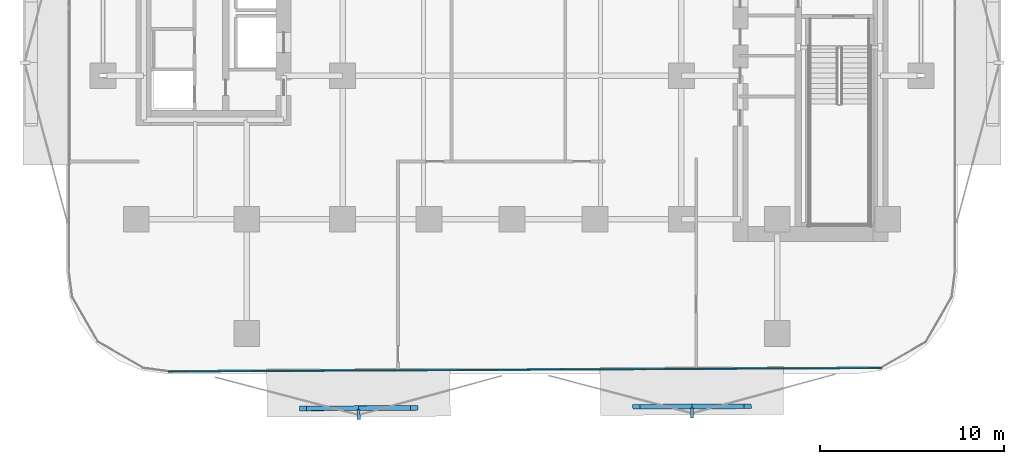
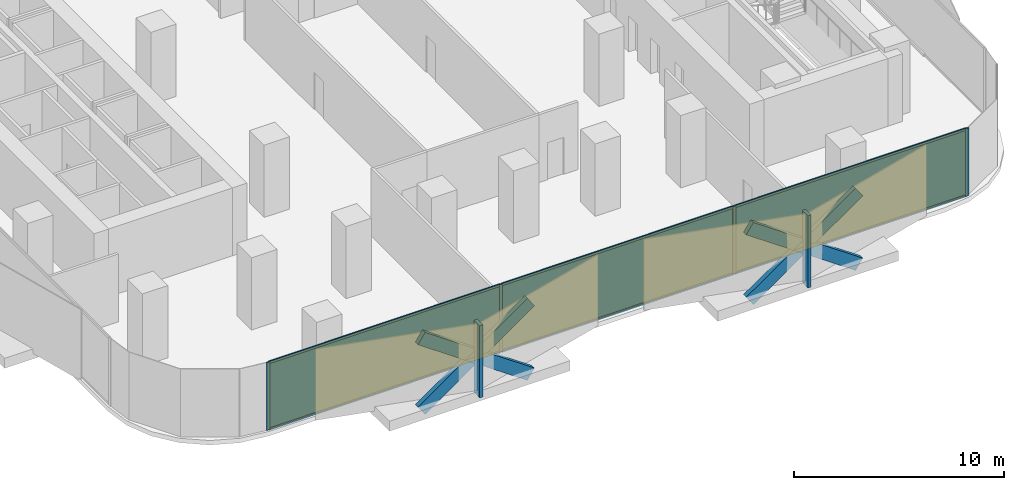
# One storey, part 8 of 16: 16 members, 3 plates, 1 curtain wall.
"""IFC4 building model written with IfcOpenShell, lengths in metres."""

from ifc_helpers import new_model, si_unit, direction, frame, frame_2d, origin, origin_2d, place, context, subcontext, project, spatial, rectangle, extrude, material, layer, layer_set, material_profile, profile_set, type_object, element, aggregate, save


model = new_model("IFC4")

# Units and contexts
model_context = context("Model", 3, precision=1e-05, world=origin(), true_north=direction((0.0, 1.0)))
body_context = subcontext(model_context, "Body", "Model", "MODEL_VIEW")
ifc_project = project(units=[si_unit("LENGTHUNIT", "METRE"), si_unit("AREAUNIT", "SQUARE_METRE"), si_unit("VOLUMEUNIT", "CUBIC_METRE"), si_unit("PLANEANGLEUNIT", "RADIAN"), si_unit("MASSUNIT", "GRAM", prefix="KILO")], contexts=[model_context])

# Member
ifc_material_1 = material(Name="Anodised Bronze Aluminium 6063-T6", Category="aluminium")
ifc_material_profile_1 = material_profile(ifc_material_1, rectangle(XDim=0.260009765625, YDim=0.699951171875, at=origin_2d()))
ifc_profile_set_1 = profile_set([ifc_material_profile_1], Name="Anodised Bronze Aluminium 6063-T6")
member_type_1 = type_object("IfcMemberType", Name="Bronze Diamond Solar-Screen Lattice Rib BDL-700", PredefinedType="MULLION", material=ifc_profile_set_1)
site_placement = place(None, origin())
building_placement = place(site_placement, origin())
storey_placement = place(building_placement, frame((0.0, 0.0, 42.800048828125)))
member_1_placement = place(storey_placement, frame((12.788818359375, -28.747802734375, -0.130126953125), z_axis=(-0.820728082462, -0.003984922917, 0.571305115544), x_axis=(-0.007647115257, 0.999962716599, -0.004010865356)))
member_1 = element("IfcMember", 1, at=member_1_placement, type_object=member_type_1, Name="L10 Bronze Diamond Solar Screen Lattice Rib 33A", PredefinedType="MULLION", context=body_context, shape_type="SweptSolid", body=[
    extrude(rectangle(XDim=0.260009765625, YDim=0.699951171875, at=origin_2d()), origin(), (0.0, 0.0, 1.0), 7.35205078125),
])

member_2_placement = place(storey_placement, frame((6.7548828125, -28.777099609375, -0.130126953125), z_axis=(0.820728082462, 0.003984922917, 0.571305115544), x_axis=(0.007647115257, -0.999962716599, -0.004010865356)))
member_2 = element("IfcMember", 2, at=member_2_placement, type_object=member_type_1, Name="L10 Bronze Diamond Solar Screen Lattice Rib 33B", PredefinedType="MULLION", context=body_context, shape_type="SweptSolid", body=[
    extrude(rectangle(XDim=0.260009765625, YDim=0.699951171875, at=origin_2d()), origin(), (0.0, 0.0, 1.0), 7.35205078125),
])

member_3_placement = place(storey_placement, frame((-5.31298828125, -28.835693359375, -0.130126953125), z_axis=(-0.820728082462, -0.003984922917, 0.571305115544), x_axis=(-0.007647115257, 0.999962716599, -0.004010865356)))
member_3 = element("IfcMember", 3, at=member_3_placement, type_object=member_type_1, Name="L10 Bronze Diamond Solar Screen Lattice Rib 34A", PredefinedType="MULLION", context=body_context, shape_type="SweptSolid", body=[
    extrude(rectangle(XDim=0.260009765625, YDim=0.699951171875, at=origin_2d()), origin(), (0.0, 0.0, 1.0), 7.35205078125),
])

member_4_placement = place(storey_placement, frame((-11.346923828125, -28.864990234375, -0.130126953125), z_axis=(0.820728082462, 0.003984922917, 0.571305115544), x_axis=(0.007647115257, -0.999962716599, -0.004010865356)))
member_4 = element("IfcMember", 4, at=member_4_placement, type_object=member_type_1, Name="L10 Bronze Diamond Solar Screen Lattice Rib 34B", PredefinedType="MULLION", context=body_context, shape_type="SweptSolid", body=[
    extrude(rectangle(XDim=0.260009765625, YDim=0.699951171875, at=origin_2d()), origin(), (0.0, 0.0, 1.0), 7.35205078125),
])

ifc_material_2 = material(Name="Anodised Bronze Aluminium 6063-T6", Category="aluminium")
ifc_material_profile_2 = material_profile(ifc_material_2, rectangle(XDim=0.179931640625, YDim=0.5400390625, at=origin_2d()))
ifc_profile_set_2 = profile_set([ifc_material_profile_2], Name="Anodised Bronze Aluminium 6063-T6")
member_type_2 = type_object("IfcMemberType", Name="Bronze Solar-Screen Vertical Fold Fin BSF-540", PredefinedType="MULLION", material=ifc_profile_set_2)
member_5_placement = place(storey_placement, frame((9.7734375, -29.1025390625, -0.130126953125), z_axis=(0.0, 0.0, 1.0), x_axis=(-0.999988059021, -0.004886902454, 0.0)))
member_5 = element("IfcMember", 5, at=member_5_placement, type_object=member_type_2, Name="L10 Bronze Solar Screen Vertical Fin 33", PredefinedType="MULLION", context=body_context, shape_type="SweptSolid", body=[
    extrude(rectangle(XDim=0.179931640625, YDim=0.5400390625, at=origin_2d()), origin(), (0.0, 0.0, 1.0), 4.2001953125),
])

member_6_placement = place(storey_placement, frame((-8.328369140625, -29.190185546875, -0.130126953125), z_axis=(0.0, 0.0, 1.0), x_axis=(-0.999988059021, -0.004886902454, 0.0)))
member_6 = element("IfcMember", 6, at=member_6_placement, type_object=member_type_2, Name="L10 Bronze Solar Screen Vertical Fin 34", PredefinedType="MULLION", context=body_context, shape_type="SweptSolid", body=[
    extrude(rectangle(XDim=0.179931640625, YDim=0.5400390625, at=origin_2d()), origin(), (0.0, 0.0, 1.0), 4.2001953125),
])

ifc_material_3 = material(Name="Anodised Bronze Aluminium 6063-T6", Category="aluminium")
ifc_material_profile_3 = material_profile(ifc_material_3, rectangle(XDim=0.06494140625, YDim=0.179931640625, at=origin_2d()))
ifc_profile_set_3 = profile_set([ifc_material_profile_3], Name="Anodised Bronze Aluminium 6063-T6")
member_type_3 = type_object("IfcMemberType", Name="CW-Z1 Mullion 65x180", PredefinedType="MULLION", material=ifc_profile_set_3)
member_7_placement = place(storey_placement, frame((19.98046875, -26.6728515625, 0.0), z_axis=(0.0, 0.0, 1.0), x_axis=(0.004849219095, -0.999988242468, 0.0)))
member_7 = element("IfcMember", 7, at=member_7_placement, type_object=member_type_3, Name="CW-Z1 mullion 1", PredefinedType="MULLION", context=body_context, shape_type="SweptSolid", body=[
    extrude(rectangle(XDim=0.06494140625, YDim=0.179931640625, at=origin_2d()), origin(), (0.0, 0.0, 1.0), 3.93994140625),
])

member_8_placement = place(storey_placement, frame((7.14501953125, -26.735107421875, 0.0), z_axis=(0.0, 0.0, 1.0), x_axis=(0.004849219095, -0.999988242468, 0.0)))
member_8 = element("IfcMember", 8, at=member_8_placement, type_object=member_type_3, Name="CW-Z1 mullion 2", PredefinedType="MULLION", context=body_context, shape_type="SweptSolid", body=[
    extrude(rectangle(XDim=0.06494140625, YDim=0.179931640625, at=origin_2d()), origin(), (0.0, 0.0, 1.0), 3.93994140625),
])

member_9_placement = place(storey_placement, frame((-5.722900390625, -26.797607421875, 0.0), z_axis=(0.0, 0.0, 1.0), x_axis=(0.004849219095, -0.999988242468, 0.0)))
member_9 = element("IfcMember", 9, at=member_9_placement, type_object=member_type_3, Name="CW-Z1 mullion 3", PredefinedType="MULLION", context=body_context, shape_type="SweptSolid", body=[
    extrude(rectangle(XDim=0.06494140625, YDim=0.179931640625, at=origin_2d()), origin(), (0.0, 0.0, 1.0), 3.93994140625),
])

member_10_placement = place(storey_placement, frame((-18.558349609375, -26.85986328125, 0.0), z_axis=(0.0, 0.0, 1.0), x_axis=(0.004849219095, -0.999988242468, 0.0)))
member_10 = element("IfcMember", 10, at=member_10_placement, type_object=member_type_3, Name="CW-Z1 mullion 4", PredefinedType="MULLION", context=body_context, shape_type="SweptSolid", body=[
    extrude(rectangle(XDim=0.06494140625, YDim=0.179931640625, at=origin_2d()), origin(), (0.0, 0.0, 1.0), 3.93994140625),
])

ifc_material_4 = material(Name="Anodised Bronze Aluminium 6063-T6", Category="aluminium")
ifc_material_profile_4 = material_profile(ifc_material_4, rectangle(XDim=0.06494140625, YDim=0.139892578125, at=origin_2d()))
ifc_profile_set_4 = profile_set([ifc_material_profile_4], Name="Anodised Bronze Aluminium 6063-T6")
member_type_4 = type_object("IfcMemberType", Name="CW-Z1 Transom 65x140", PredefinedType="USERDEFINED", material=ifc_profile_set_4)
member_11_placement = place(storey_placement, frame((19.947998046875, -26.673095703125, 0.032470703125), z_axis=(-0.99998821055, -0.004855796541, 0.0), x_axis=(0.004855796541, -0.99998821055, 0.0)))
member_11 = element("IfcMember", 11, at=member_11_placement, type_object=member_type_4, Name="CW-Z1 transom 1.1", ObjectType="TRANSOM", PredefinedType="USERDEFINED", context=body_context, shape_type="SweptSolid", body=[
    extrude(rectangle(XDim=0.06494140625, YDim=0.139892578125, at=origin_2d()), origin(), (0.0, 0.0, 1.0), 12.770751953125),
])

member_12_placement = place(storey_placement, frame((19.947998046875, -26.673095703125, 3.907470703125), z_axis=(-0.99998821055, -0.004855796541, 0.0), x_axis=(0.004855796541, -0.99998821055, 0.0)))
member_12 = element("IfcMember", 12, at=member_12_placement, type_object=member_type_4, Name="CW-Z1 transom 1.2", ObjectType="TRANSOM", PredefinedType="USERDEFINED", context=body_context, shape_type="SweptSolid", body=[
    extrude(rectangle(XDim=0.06494140625, YDim=0.139892578125, at=origin_2d()), origin(), (0.0, 0.0, 1.0), 12.770751953125),
])

member_13_placement = place(storey_placement, frame((7.112548828125, -26.7353515625, 0.032470703125), z_axis=(-0.999988270274, -0.004843481639, 0.0), x_axis=(0.004843481639, -0.999988270274, 0.0)))
member_13 = element("IfcMember", 13, at=member_13_placement, type_object=member_type_4, Name="CW-Z1 transom 2.1", ObjectType="TRANSOM", PredefinedType="USERDEFINED", context=body_context, shape_type="SweptSolid", body=[
    extrude(rectangle(XDim=0.06494140625, YDim=0.139892578125, at=origin_2d()), origin(), (0.0, 0.0, 1.0), 12.80322265625),
])

member_14_placement = place(storey_placement, frame((7.112548828125, -26.7353515625, 3.907470703125), z_axis=(-0.999988270274, -0.004843481639, 0.0), x_axis=(0.004843481639, -0.999988270274, 0.0)))
member_14 = element("IfcMember", 14, at=member_14_placement, type_object=member_type_4, Name="CW-Z1 transom 2.2", ObjectType="TRANSOM", PredefinedType="USERDEFINED", context=body_context, shape_type="SweptSolid", body=[
    extrude(rectangle(XDim=0.06494140625, YDim=0.139892578125, at=origin_2d()), origin(), (0.0, 0.0, 1.0), 12.80322265625),
])

member_15_placement = place(storey_placement, frame((-5.75537109375, -26.7978515625, 0.032470703125), z_axis=(-0.999988303196, -0.00483667968, 0.0), x_axis=(0.00483667968, -0.999988303196, 0.0)))
member_15 = element("IfcMember", 15, at=member_15_placement, type_object=member_type_4, Name="CW-Z1 transom 3.1", ObjectType="TRANSOM", PredefinedType="USERDEFINED", context=body_context, shape_type="SweptSolid", body=[
    extrude(rectangle(XDim=0.06494140625, YDim=0.139892578125, at=origin_2d()), origin(), (0.0, 0.0, 1.0), 12.770751953125),
])

member_16_placement = place(storey_placement, frame((-5.75537109375, -26.7978515625, 3.907470703125), z_axis=(-0.999988303196, -0.00483667968, 0.0), x_axis=(0.00483667968, -0.999988303196, 0.0)))
member_16 = element("IfcMember", 16, at=member_16_placement, type_object=member_type_4, Name="CW-Z1 transom 3.2", ObjectType="TRANSOM", PredefinedType="USERDEFINED", context=body_context, shape_type="SweptSolid", body=[
    extrude(rectangle(XDim=0.06494140625, YDim=0.139892578125, at=origin_2d()), origin(), (0.0, 0.0, 1.0), 12.770751953125),
])

# Plate
ifc_material_5 = material(Name="Low-E Solar Control Laminated Glass", Category="glass")
ifc_layer_1 = layer(ifc_material_5, 0.028076171875, Name="Low-E Solar Control Laminated Glass")
ifc_layer_set_1 = layer_set([ifc_layer_1], Name="Low-E Solar Control Laminated Glass")
plate_type = type_object("IfcPlateType", Name="CW-Z1 Low-E Double Glazed Panel 28mm", PredefinedType="CURTAIN_PANEL", material=ifc_layer_set_1)
plate_1_placement = place(storey_placement, frame((13.562744140625, -26.7041015625, 0.06494140625), z_axis=(0.0, 0.0, 1.0), x_axis=(-0.999988242468, -0.004849219095, 0.0)))
plate_1 = element("IfcPlate", 17, at=plate_1_placement, type_object=plate_type, Name="CW-Z1 panel 1.1", PredefinedType="CURTAIN_PANEL", context=body_context, shape_type="SweptSolid", body=[
    extrude(rectangle(XDim=12.7705078125, YDim=0.028076171875, at=origin_2d()), origin(), (0.0, 0.0, 1.0), 3.81005859375),
])

plate_2_placement = place(storey_placement, frame((0.7109375, -26.766357421875, 0.06494140625), z_axis=(0.0, 0.0, 1.0), x_axis=(-0.999988242468, -0.004849219095, 0.0)))
plate_2 = element("IfcPlate", 18, at=plate_2_placement, type_object=plate_type, Name="CW-Z1 panel 2.1", PredefinedType="CURTAIN_PANEL", context=body_context, shape_type="SweptSolid", body=[
    extrude(rectangle(XDim=12.802978515625, YDim=0.028076171875, at=origin_2d()), origin(), (0.0, 0.0, 1.0), 3.81005859375),
])

plate_3_placement = place(storey_placement, frame((-12.140625, -26.82861328125, 0.06494140625), z_axis=(0.0, 0.0, 1.0), x_axis=(-0.999988242468, -0.004849219095, 0.0)))
plate_3 = element("IfcPlate", 19, at=plate_3_placement, type_object=plate_type, Name="CW-Z1 panel 3.1", PredefinedType="CURTAIN_PANEL", context=body_context, shape_type="SweptSolid", body=[
    extrude(rectangle(XDim=12.7705078125, YDim=0.028076171875, at=origin_2d()), origin(), (0.0, 0.0, 1.0), 3.81005859375),
])

# Site, building, storey
site = spatial("IfcSite", under=ifc_project, at=site_placement, CompositionType="ELEMENT")
building = spatial("IfcBuilding", under=site, at=building_placement, Name="Khairoan Windgate Tower", CompositionType="ELEMENT")
storey = spatial("IfcBuildingStorey", under=building, at=storey_placement, Name="L10", CompositionType="ELEMENT", Elevation=42.800048828125)

# Curtain wall
ifc_material_6 = material(Name="Anodised Bronze Aluminium 6063-T6", Category="aluminium")
ifc_layer_2 = layer(ifc_material_6, 0.179931640625, Name="Anodised Bronze Aluminium 6063-T6")
ifc_layer_set_2 = layer_set([ifc_layer_2], Name="Anodised Bronze Aluminium 6063-T6")
curtain_wall_type = type_object("IfcCurtainWallType", Name="Low-Rise Office Unitised Curtain Wall CW-Z1", PredefinedType="NOTDEFINED", material=ifc_layer_set_2)
curtain_wall_placement = place(storey_placement, frame((20.012939453125, -26.6728515625, 0.0), z_axis=(0.0, 0.0, 1.0), x_axis=(-0.999988235487, -0.004850658525, 0.0)))
curtain_wall = element("IfcCurtainWall", 20, at=curtain_wall_placement, inside=storey, type_object=curtain_wall_type, Name="L10 Unitised Curtain Wall 1", PredefinedType="NOTDEFINED", context=body_context, shape_type="SweptSolid", body=[
    extrude(rectangle(XDim=38.604248046875, YDim=0.010009765625, at=frame_2d((19.30224609375, 0.0))), origin(), (0.0, 0.0, 1.0), 3.93994140625),
])

aggregate(curtain_wall, [member_7, member_8, member_9, member_10, member_11, member_12, plate_1, member_13, member_14, plate_2, member_15, member_16, plate_3, member_1, member_2, member_5, member_3, member_4, member_6])

save(model, "model.ifc")
